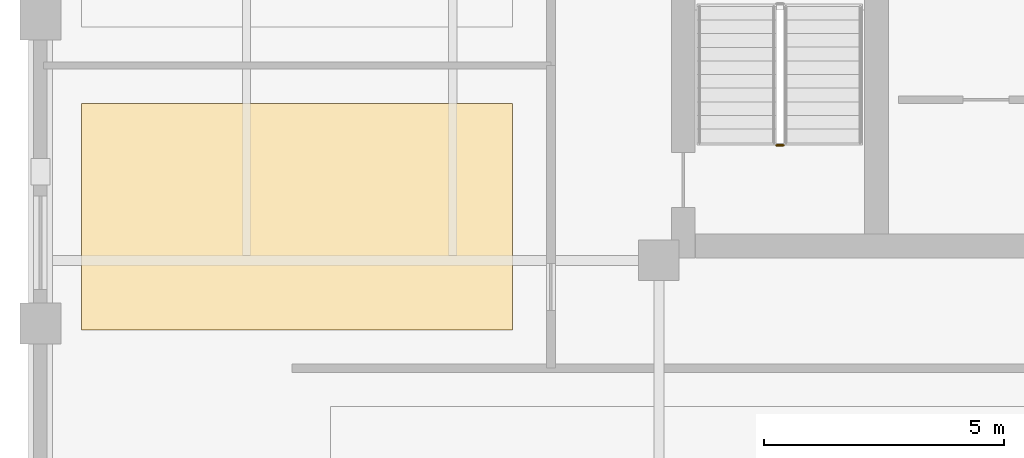
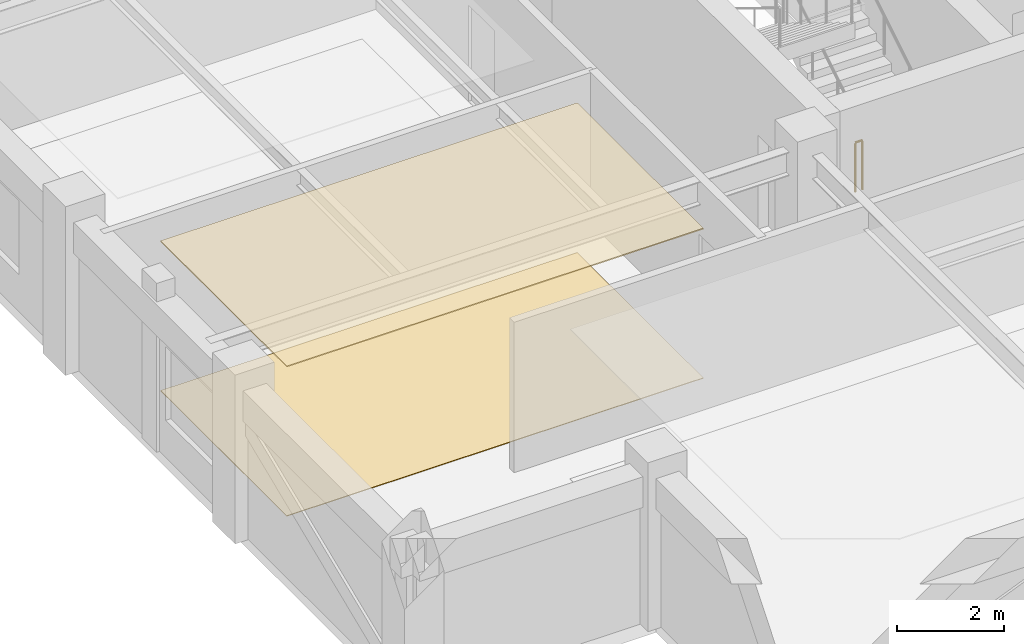
# One storey, part 6 of 9: 2 coverings, 1 railing.
"""IFC4 building model written with IfcOpenShell, lengths in metres."""

import ifcopenshell
import ifcopenshell.guid

model = None  # the IFC model being written
_history = None  # IfcOwnerHistory: only IFC2X3 demands one
_inside = {}  # id of a spatial element -> (the spatial element, [elements in it])
_under = {}  # id of a project, library or spatial element -> (it, [spatial elements below it])
_declared = {}  # id of a project -> (the project, [libraries it declares])
_typed = {}  # id of a type object -> (the type object, [elements of that type])
_made_of = {}  # id of a material, layer set ... -> (it, [elements and type objects made of it])


def new_model(schema):
    """Start an empty IFC model of exactly this schema.

    Asked for "IFC4X3", IfcOpenShell would pick the latest addendum, in which some entities
    have other attributes; the version numbers below select the first issue.
    IFC2X3 requires an IfcOwnerHistory on every rooted entity: one is made here for all.
    """
    global model, _history
    if schema == "IFC4X3":
        model = ifcopenshell.file(schema_version=(4, 3, 0, 0))
    else:
        model = ifcopenshell.file(schema=schema)
    _inside.clear()
    _under.clear()
    _declared.clear()
    _typed.clear()
    _made_of.clear()
    _history = None
    if model.schema == "IFC2X3":
        org = make("IfcOrganization", Name="unknown")
        user = make(
            "IfcPersonAndOrganization",
            ThePerson=make("IfcPerson", FamilyName="unknown"),
            TheOrganization=org,
        )
        app = make(
            "IfcApplication",
            ApplicationDeveloper=org,
            Version="unknown",
            ApplicationFullName="unknown",
            ApplicationIdentifier="unknown",
        )
        _history = make(
            "IfcOwnerHistory",
            OwningUser=user,
            OwningApplication=app,
            ChangeAction="ADDED",
            CreationDate=0,
        )
    return model


def make(cls, **values):
    """One entity of the class cls with the attributes given. An attribute that is None is left unset."""
    return model.create_entity(
        cls, **{name: value for name, value in values.items() if value is not None}
    )


def rooted(cls, **values):
    """An entity with a GlobalId (a new one), such as an element, a storey or a relation."""
    return make(cls, GlobalId=ifcopenshell.guid.new(), OwnerHistory=_history, **values)


def si_unit(unit_type, name, prefix=None):
    """IfcSIUnit, for example si_unit("LENGTHUNIT", "METRE", prefix="MILLI")."""
    return make("IfcSIUnit", UnitType=unit_type, Prefix=prefix, Name=name)


def assignment(units):
    """IfcUnitAssignment: the units of a project."""
    return None if units is None else make("IfcUnitAssignment", Units=units)


def point(xyz):
    """IfcCartesianPoint."""
    return None if xyz is None else make("IfcCartesianPoint", Coordinates=xyz)


def direction(xyz):
    """IfcDirection."""
    return None if xyz is None else make("IfcDirection", DirectionRatios=xyz)


def frame(location, z_axis=None, x_axis=None):
    """IfcAxis2Placement3D, a coordinate frame: its origin and axes. An axis left out is left unset."""
    return make(
        "IfcAxis2Placement3D",
        Location=point(location),
        Axis=direction(z_axis),
        RefDirection=direction(x_axis),
    )


def frame_2d(location, x_axis=None):
    """IfcAxis2Placement2D, a coordinate frame in the plane: its origin and x axis."""
    return make(
        "IfcAxis2Placement2D", Location=point(location), RefDirection=direction(x_axis)
    )


def origin():
    """The frame at (0, 0, 0) with its axes left unset."""
    return frame((0.0, 0.0, 0.0))


def origin_2d():
    """The frame at (0, 0) in the plane with its x axis left unset."""
    return frame_2d((0.0, 0.0))


def place(relative_to, where):
    """IfcLocalPlacement: puts the frame where relative to a parent placement (None: the world)."""
    return make(
        "IfcLocalPlacement", PlacementRelTo=relative_to, RelativePlacement=where
    )


def context(
    kind, dimensions, precision=None, world=None, true_north=None, identifier=None
):
    """IfcGeometricRepresentationContext, for example the 3D "Model" context."""
    return make(
        "IfcGeometricRepresentationContext",
        ContextIdentifier=identifier,
        ContextType=kind,
        CoordinateSpaceDimension=dimensions,
        Precision=precision,
        WorldCoordinateSystem=world,
        TrueNorth=true_north,
    )


def subcontext(parent, identifier, kind, view, scale=None):
    """IfcGeometricRepresentationSubContext, for example "Body" below "Model"."""
    return make(
        "IfcGeometricRepresentationSubContext",
        ContextIdentifier=identifier,
        ContextType=kind,
        ParentContext=parent,
        TargetScale=scale,
        TargetView=view,
    )


def project(units=None, contexts=None):
    """IfcProject with its units and contexts."""
    return rooted(
        "IfcProject",
        Name="project",
        RepresentationContexts=contexts,
        UnitsInContext=assignment(units),
    )


def spatial(cls, under=None, at=None, **own):
    """A site, building, storey or space (cls), placed at a placement, below another one or the project."""
    s = rooted(cls, ObjectPlacement=at, **own)
    if under is not None:
        _under.setdefault(under.id(), (under, []))[1].append(s)
    return s


def polyline(points):
    """IfcPolyline through the points."""
    return make("IfcPolyline", Points=[point(p) for p in points])


def profile(cls, at=None, kind="AREA", **sizes):
    """A parametric profile (cls). Its sizes go by their IFC names, for example OverallWidth=200.0."""
    return make(cls, ProfileType=kind, Position=at, **sizes)


def circle(**sizes):
    """IfcCircleProfileDef."""
    return profile("IfcCircleProfileDef", **sizes)


def outline(outer, holes=None, kind="AREA"):
    """IfcArbitraryClosedProfileDef: a profile drawn as a closed curve; with holes, ...WithVoids."""
    if holes is None:
        return make("IfcArbitraryClosedProfileDef", ProfileType=kind, OuterCurve=outer)
    return make(
        "IfcArbitraryProfileDefWithVoids",
        ProfileType=kind,
        OuterCurve=outer,
        InnerCurves=holes,
    )


def extrude(swept, where, along, depth):
    """IfcExtrudedAreaSolid: the profile swept, set in the frame where, extruded along a direction by depth."""
    return make(
        "IfcExtrudedAreaSolid",
        SweptArea=swept,
        Position=where,
        ExtrudedDirection=direction(along),
        Depth=depth,
    )


def shape(context_of_items, identifier, shape_type, items):
    """IfcShapeRepresentation: the items that make up one representation, for example the "Body"."""
    return make(
        "IfcShapeRepresentation",
        ContextOfItems=context_of_items,
        RepresentationIdentifier=identifier,
        RepresentationType=shape_type,
        Items=items,
    )


def material(Name=None, Category=None):
    """IfcMaterial."""
    return make("IfcMaterial", Name=Name, Category=Category)


def layer(
    of_material, thickness, ventilated=None, Name=None, Category=None, Priority=None
):
    """IfcMaterialLayer: one layer of a wall or slab, of a material (None: an air gap)."""
    return make(
        "IfcMaterialLayer",
        Material=of_material,
        LayerThickness=thickness,
        IsVentilated=ventilated,
        Name=Name,
        Category=Category,
        Priority=Priority,
    )


def layer_set(layers, Name=None):
    """IfcMaterialLayerSet."""
    return make("IfcMaterialLayerSet", MaterialLayers=layers, LayerSetName=Name)


def made_of(thing, what):
    """Note that an element or type object is made of a material, layer set ...; save() writes the relation."""
    if what is not None:
        _made_of.setdefault(what.id(), (what, []))[1].append(thing)
    return thing


def type_object(cls, material=None, **own):
    """A type object (cls), such as IfcWallType, which elements share."""
    return made_of(rooted(cls, **own), material)


def element(
    cls,
    number,
    at=None,
    inside=None,
    cuts=None,
    type_object=None,
    material=None,
    context=None,
    identifier="Body",
    shape_type=None,
    held_by="IfcProductDefinitionShape",
    body=None,
    shapes=None,
    **own,
):
    """One element of the class cls, such as IfcWall. Its Tag is "e" and its number.

    at: its placement. inside: the storey or other place that contains it. cuts: it is an
    opening in that element (IfcRelVoidsElement). A single representation is given by context,
    identifier, shape_type and body (its items); several are given by shapes. held_by: the class
    of the entity that holds the representations. save() writes the other relations.
    """
    e = rooted(cls, Tag="e%d" % number, ObjectPlacement=at, **own)
    if body is not None:
        shapes = [shape(context, identifier, shape_type, body)]
    if shapes is not None:
        e.Representation = make(held_by, Representations=shapes)
    if inside is not None:
        _inside.setdefault(inside.id(), (inside, []))[1].append(e)
    if cuts is not None:
        rooted(
            "IfcRelVoidsElement", RelatingBuildingElement=cuts, RelatedOpeningElement=e
        )
    if type_object is not None:
        _typed.setdefault(type_object.id(), (type_object, []))[1].append(e)
    return made_of(e, material)


def aggregate(whole, parts):
    """IfcRelAggregates: a whole, such as a stair, and the parts it consists of."""
    return rooted("IfcRelAggregates", RelatingObject=whole, RelatedObjects=parts)


def save(model, path):
    """Write the relations noted so far, then the file.

    IfcRelAggregates (storeys below a building ...), IfcRelContainedInSpatialStructure (elements
    in a storey), IfcRelDefinesByType, IfcRelAssociatesMaterial and IfcRelDeclares: one each for
    every whole, place, type object, material and project.
    """
    for whole, parts in _under.values():
        aggregate(whole, parts)
    for where, things in _inside.values():
        rooted(
            "IfcRelContainedInSpatialStructure",
            RelatedElements=things,
            RelatingStructure=where,
        )
    for kind, things in _typed.values():
        rooted("IfcRelDefinesByType", RelatedObjects=things, RelatingType=kind)
    for what, things in _made_of.values():
        rooted("IfcRelAssociatesMaterial", RelatedObjects=things, RelatingMaterial=what)
    for by, libraries in _declared.values():
        rooted("IfcRelDeclares", RelatingContext=by, RelatedDefinitions=libraries)
    model.write(path)


model = new_model("IFC4")

# Units and contexts
model_context = context("Model", 3, precision=1e-05, world=origin(), true_north=direction((0.0, 1.0)))
body_context = subcontext(model_context, "Body", "Model", "MODEL_VIEW")
ifc_project = project(units=[si_unit("LENGTHUNIT", "METRE"), si_unit("AREAUNIT", "SQUARE_METRE"), si_unit("VOLUMEUNIT", "CUBIC_METRE"), si_unit("PLANEANGLEUNIT", "RADIAN"), si_unit("MASSUNIT", "GRAM", prefix="KILO")], contexts=[model_context])

# Site, building, storey
site_placement = place(None, origin())
site = spatial("IfcSite", under=ifc_project, at=site_placement, CompositionType="ELEMENT")
building_placement = place(site_placement, origin())
building = spatial("IfcBuilding", under=site, at=building_placement, Name="Nhamokura Convention Tower", CompositionType="ELEMENT")
storey_placement = place(building_placement, frame((0.0, 0.0, 186.89990234375)))
storey = spatial("IfcBuildingStorey", under=building, at=storey_placement, Name="L45", CompositionType="ELEMENT", Elevation=186.89990234375)

# Covering
ifc_material_1 = material(Name="Mineral-fibre acoustic ceiling tile", Category="gypsum")
ifc_layer_1 = layer(ifc_material_1, 0.02490234375)
ifc_layer_set_1 = layer_set([ifc_layer_1], Name="AcousticTileCeiling_25")
covering_type_1 = type_object("IfcCoveringType", Name="AcousticTileCeiling_25", PredefinedType="CEILING", material=ifc_layer_set_1)
covering_1_placement = place(storey_placement, frame((0.0, 0.0, 3.405029296875)))
element("IfcCovering", 1, at=covering_1_placement, inside=storey, type_object=covering_type_1, Name="L45 Suspended Ceiling 05", PredefinedType="CEILING", context=body_context, shape_type="SweptSolid", body=[
    extrude(outline(polyline([(8.610107421875, 19.199951171875), (17.60009765625, 19.199951171875), (17.60009765625, 23.916748046875), (8.610107421875, 23.916748046875), (8.610107421875, 19.199951171875)])), origin(), (0.0, 0.0, 1.0), 0.025146484375),
])

# Railing
ifc_material_2 = material(Name="Painted tubular steel", Category="steel")
railing_type = type_object("IfcRailingType", Name="StairWellGuardrail_1150", PredefinedType="GUARDRAIL", material=ifc_material_2)
railing_placement = place(storey_placement, frame((23.25, 23.050048828125, 0.0)))
element("IfcRailing", 2, at=railing_placement, inside=storey, type_object=railing_type, Name="L45 ST-01 stair guard 4", PredefinedType="GUARDRAIL", context=body_context, shape_type="SweptSolid", body=[
    extrude(circle(Radius=0.02392578125, at=origin_2d()), frame((0.0, 0.0, 1.1259765625), z_axis=(-1.0, 0.0, 0.0), x_axis=(0.0, -1.0, 0.0)), (0.0, 0.0, 1.0), 0.14990234375),
    extrude(circle(Radius=0.02099609375, at=origin_2d()), origin(), (0.0, 0.0, 1.0), 1.101806640625),
    extrude(circle(Radius=0.02099609375, at=origin_2d()), frame((-0.14990234375, 0.0, 0.0)), (0.0, 0.0, 1.0), 1.101806640625),
])

# Covering
ifc_material_3 = material(Name="Acoustic woven hospitality carpet", Category="wood")
ifc_layer_2 = layer(ifc_material_3, 0.014892578125)
ifc_layer_set_2 = layer_set([ifc_layer_2], Name="WovenCarpetFlooring_15")
covering_type_2 = type_object("IfcCoveringType", Name="WovenCarpetFlooring_15", PredefinedType="FLOORING", material=ifc_layer_set_2)
covering_2_placement = place(storey_placement, origin())
element("IfcCovering", 3, at=covering_2_placement, inside=storey, type_object=covering_type_2, Name="L45 Finish Flooring 05", PredefinedType="FLOORING", context=body_context, shape_type="SweptSolid", body=[
    extrude(outline(polyline([(8.610107421875, 19.199951171875), (17.60009765625, 19.199951171875), (17.60009765625, 23.916748046875), (8.610107421875, 23.916748046875), (8.610107421875, 19.199951171875)])), origin(), (0.0, 0.0, 1.0), 0.01513671875),
])

save(model, "model.ifc")
